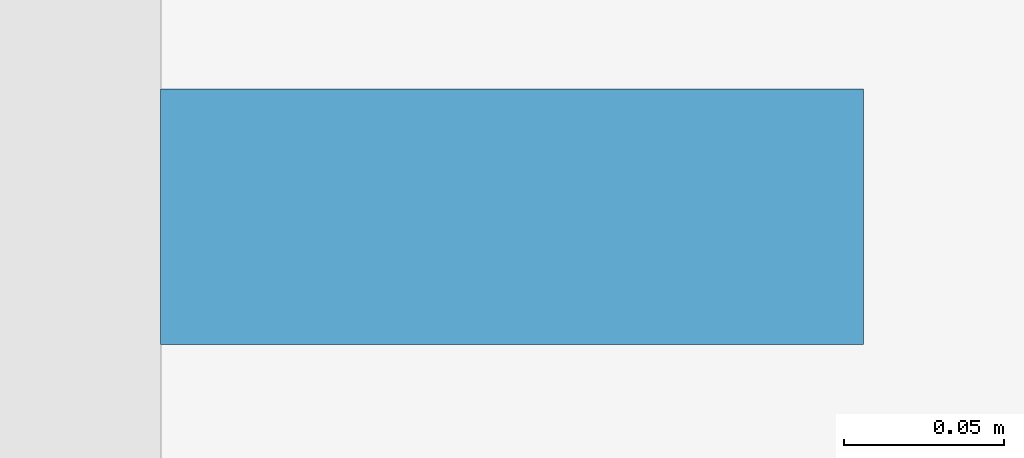
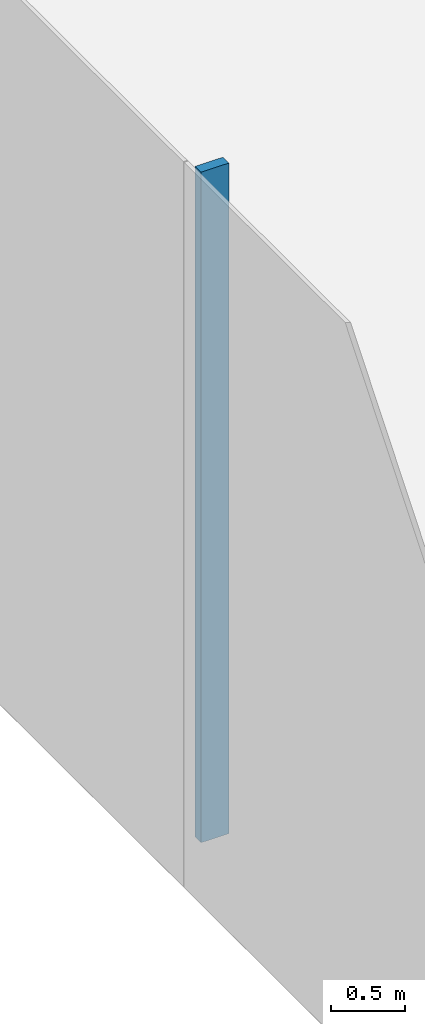
# One storey, part 5 of 38: 1 member, 1 element without a shape of its own.
"""IFC4 building model written with IfcOpenShell, lengths in metres."""

import ifcopenshell
import ifcopenshell.guid

model = None  # the IFC model being written
_history = None  # IfcOwnerHistory: only IFC2X3 demands one
_inside = {}  # id of a spatial element -> (the spatial element, [elements in it])
_under = {}  # id of a project, library or spatial element -> (it, [spatial elements below it])
_declared = {}  # id of a project -> (the project, [libraries it declares])
_typed = {}  # id of a type object -> (the type object, [elements of that type])
_made_of = {}  # id of a material, layer set ... -> (it, [elements and type objects made of it])


def new_model(schema):
    """Start an empty IFC model of exactly this schema.

    Asked for "IFC4X3", IfcOpenShell would pick the latest addendum, in which some entities
    have other attributes; the version numbers below select the first issue.
    IFC2X3 requires an IfcOwnerHistory on every rooted entity: one is made here for all.
    """
    global model, _history
    if schema == "IFC4X3":
        model = ifcopenshell.file(schema_version=(4, 3, 0, 0))
    else:
        model = ifcopenshell.file(schema=schema)
    _inside.clear()
    _under.clear()
    _declared.clear()
    _typed.clear()
    _made_of.clear()
    _history = None
    if model.schema == "IFC2X3":
        org = make("IfcOrganization", Name="unknown")
        user = make(
            "IfcPersonAndOrganization",
            ThePerson=make("IfcPerson", FamilyName="unknown"),
            TheOrganization=org,
        )
        app = make(
            "IfcApplication",
            ApplicationDeveloper=org,
            Version="unknown",
            ApplicationFullName="unknown",
            ApplicationIdentifier="unknown",
        )
        _history = make(
            "IfcOwnerHistory",
            OwningUser=user,
            OwningApplication=app,
            ChangeAction="ADDED",
            CreationDate=0,
        )
    return model


def make(cls, **values):
    """One entity of the class cls with the attributes given. An attribute that is None is left unset."""
    return model.create_entity(
        cls, **{name: value for name, value in values.items() if value is not None}
    )


def rooted(cls, **values):
    """An entity with a GlobalId (a new one), such as an element, a storey or a relation."""
    return make(cls, GlobalId=ifcopenshell.guid.new(), OwnerHistory=_history, **values)


def si_unit(unit_type, name, prefix=None):
    """IfcSIUnit, for example si_unit("LENGTHUNIT", "METRE", prefix="MILLI")."""
    return make("IfcSIUnit", UnitType=unit_type, Prefix=prefix, Name=name)


def assignment(units):
    """IfcUnitAssignment: the units of a project."""
    return None if units is None else make("IfcUnitAssignment", Units=units)


def point(xyz):
    """IfcCartesianPoint."""
    return None if xyz is None else make("IfcCartesianPoint", Coordinates=xyz)


def direction(xyz):
    """IfcDirection."""
    return None if xyz is None else make("IfcDirection", DirectionRatios=xyz)


def frame(location, z_axis=None, x_axis=None):
    """IfcAxis2Placement3D, a coordinate frame: its origin and axes. An axis left out is left unset."""
    return make(
        "IfcAxis2Placement3D",
        Location=point(location),
        Axis=direction(z_axis),
        RefDirection=direction(x_axis),
    )


def frame_2d(location, x_axis=None):
    """IfcAxis2Placement2D, a coordinate frame in the plane: its origin and x axis."""
    return make(
        "IfcAxis2Placement2D", Location=point(location), RefDirection=direction(x_axis)
    )


def origin():
    """The frame at (0, 0, 0) with its axes left unset."""
    return frame((0.0, 0.0, 0.0))


def origin_2d():
    """The frame at (0, 0) in the plane with its x axis left unset."""
    return frame_2d((0.0, 0.0))


def place(relative_to, where):
    """IfcLocalPlacement: puts the frame where relative to a parent placement (None: the world)."""
    return make(
        "IfcLocalPlacement", PlacementRelTo=relative_to, RelativePlacement=where
    )


def context(
    kind, dimensions, precision=None, world=None, true_north=None, identifier=None
):
    """IfcGeometricRepresentationContext, for example the 3D "Model" context."""
    return make(
        "IfcGeometricRepresentationContext",
        ContextIdentifier=identifier,
        ContextType=kind,
        CoordinateSpaceDimension=dimensions,
        Precision=precision,
        WorldCoordinateSystem=world,
        TrueNorth=true_north,
    )


def subcontext(parent, identifier, kind, view, scale=None):
    """IfcGeometricRepresentationSubContext, for example "Body" below "Model"."""
    return make(
        "IfcGeometricRepresentationSubContext",
        ContextIdentifier=identifier,
        ContextType=kind,
        ParentContext=parent,
        TargetScale=scale,
        TargetView=view,
    )


def project(units=None, contexts=None):
    """IfcProject with its units and contexts."""
    return rooted(
        "IfcProject",
        Name="project",
        RepresentationContexts=contexts,
        UnitsInContext=assignment(units),
    )


def spatial(cls, under=None, at=None, **own):
    """A site, building, storey or space (cls), placed at a placement, below another one or the project."""
    s = rooted(cls, ObjectPlacement=at, **own)
    if under is not None:
        _under.setdefault(under.id(), (under, []))[1].append(s)
    return s


def profile(cls, at=None, kind="AREA", **sizes):
    """A parametric profile (cls). Its sizes go by their IFC names, for example OverallWidth=200.0."""
    return make(cls, ProfileType=kind, Position=at, **sizes)


def rectangle(**sizes):
    """IfcRectangleProfileDef."""
    return profile("IfcRectangleProfileDef", **sizes)


def extrude(swept, where, along, depth):
    """IfcExtrudedAreaSolid: the profile swept, set in the frame where, extruded along a direction by depth."""
    return make(
        "IfcExtrudedAreaSolid",
        SweptArea=swept,
        Position=where,
        ExtrudedDirection=direction(along),
        Depth=depth,
    )


def shape(context_of_items, identifier, shape_type, items):
    """IfcShapeRepresentation: the items that make up one representation, for example the "Body"."""
    return make(
        "IfcShapeRepresentation",
        ContextOfItems=context_of_items,
        RepresentationIdentifier=identifier,
        RepresentationType=shape_type,
        Items=items,
    )


def material(Name=None, Category=None):
    """IfcMaterial."""
    return make("IfcMaterial", Name=Name, Category=Category)


def layer(
    of_material, thickness, ventilated=None, Name=None, Category=None, Priority=None
):
    """IfcMaterialLayer: one layer of a wall or slab, of a material (None: an air gap)."""
    return make(
        "IfcMaterialLayer",
        Material=of_material,
        LayerThickness=thickness,
        IsVentilated=ventilated,
        Name=Name,
        Category=Category,
        Priority=Priority,
    )


def layer_set(layers, Name=None):
    """IfcMaterialLayerSet."""
    return make("IfcMaterialLayerSet", MaterialLayers=layers, LayerSetName=Name)


def material_profile(
    of_material, cross_section, Name=None, Category=None, Priority=None
):
    """IfcMaterialProfile: a cross section and its material."""
    return make(
        "IfcMaterialProfile",
        Name=Name,
        Material=of_material,
        Profile=cross_section,
        Priority=Priority,
        Category=Category,
    )


def profile_set(profiles, Name=None, composite=None):
    """IfcMaterialProfileSet."""
    return make(
        "IfcMaterialProfileSet",
        Name=Name,
        MaterialProfiles=profiles,
        CompositeProfile=composite,
    )


def made_of(thing, what):
    """Note that an element or type object is made of a material, layer set ...; save() writes the relation."""
    if what is not None:
        _made_of.setdefault(what.id(), (what, []))[1].append(thing)
    return thing


def type_object(cls, material=None, **own):
    """A type object (cls), such as IfcWallType, which elements share."""
    return made_of(rooted(cls, **own), material)


def element(
    cls,
    number,
    at=None,
    inside=None,
    cuts=None,
    type_object=None,
    material=None,
    context=None,
    identifier="Body",
    shape_type=None,
    held_by="IfcProductDefinitionShape",
    body=None,
    shapes=None,
    **own,
):
    """One element of the class cls, such as IfcWall. Its Tag is "e" and its number.

    at: its placement. inside: the storey or other place that contains it. cuts: it is an
    opening in that element (IfcRelVoidsElement). A single representation is given by context,
    identifier, shape_type and body (its items); several are given by shapes. held_by: the class
    of the entity that holds the representations. save() writes the other relations.
    """
    e = rooted(cls, Tag="e%d" % number, ObjectPlacement=at, **own)
    if body is not None:
        shapes = [shape(context, identifier, shape_type, body)]
    if shapes is not None:
        e.Representation = make(held_by, Representations=shapes)
    if inside is not None:
        _inside.setdefault(inside.id(), (inside, []))[1].append(e)
    if cuts is not None:
        rooted(
            "IfcRelVoidsElement", RelatingBuildingElement=cuts, RelatedOpeningElement=e
        )
    if type_object is not None:
        _typed.setdefault(type_object.id(), (type_object, []))[1].append(e)
    return made_of(e, material)


def aggregate(whole, parts):
    """IfcRelAggregates: a whole, such as a stair, and the parts it consists of."""
    return rooted("IfcRelAggregates", RelatingObject=whole, RelatedObjects=parts)


def save(model, path):
    """Write the relations noted so far, then the file.

    IfcRelAggregates (storeys below a building ...), IfcRelContainedInSpatialStructure (elements
    in a storey), IfcRelDefinesByType, IfcRelAssociatesMaterial and IfcRelDeclares: one each for
    every whole, place, type object, material and project.
    """
    for whole, parts in _under.values():
        aggregate(whole, parts)
    for where, things in _inside.values():
        rooted(
            "IfcRelContainedInSpatialStructure",
            RelatedElements=things,
            RelatingStructure=where,
        )
    for kind, things in _typed.values():
        rooted("IfcRelDefinesByType", RelatedObjects=things, RelatingType=kind)
    for what, things in _made_of.values():
        rooted("IfcRelAssociatesMaterial", RelatedObjects=things, RelatingMaterial=what)
    for by, libraries in _declared.values():
        rooted("IfcRelDeclares", RelatingContext=by, RelatedDefinitions=libraries)
    model.write(path)


model = new_model("IFC4")

# Units and contexts
model_context = context("Model", 3, precision=1e-05, world=origin(), true_north=direction((0.0, 1.0)))
body_context = subcontext(model_context, "Body", "Model", "MODEL_VIEW")
ifc_project = project(units=[si_unit("LENGTHUNIT", "METRE"), si_unit("AREAUNIT", "SQUARE_METRE"), si_unit("VOLUMEUNIT", "CUBIC_METRE"), si_unit("PLANEANGLEUNIT", "RADIAN"), si_unit("MASSUNIT", "GRAM", prefix="KILO")], contexts=[model_context])

# Site, building, storey
site_placement = place(None, origin())
site = spatial("IfcSite", under=ifc_project, at=site_placement, CompositionType="ELEMENT")
building_placement = place(site_placement, origin())
building = spatial("IfcBuilding", under=site, at=building_placement, Name="Shamsa Quay Exchange Towers", CompositionType="ELEMENT")
storey_placement = place(building_placement, frame((0.0, 0.0, 12.5)))
storey = spatial("IfcBuildingStorey", under=building, at=storey_placement, Name="L02", CompositionType="ELEMENT", Elevation=12.5)

# Curtain wall, member
ifc_material = material(Name="Aluminium EN AW-6063 T6, black anodised", Category="aluminium")
ifc_layer = layer(ifc_material, 0.33203125)
ifc_layer_set = layer_set([ifc_layer], Name="CW-3 PODIUM SHOPFRONT GLAZING")
curtain_wall_type = type_object("IfcCurtainWallType", Name="CW-3 PODIUM SHOPFRONT GLAZING", PredefinedType="NOTDEFINED", material=ifc_layer_set)
curtain_wall_placement = place(storey_placement, origin())
curtain_wall = element("IfcCurtainWall", 1, at=curtain_wall_placement, inside=storey, type_object=curtain_wall_type, Name="CW3 PODIUM-L02-F02", PredefinedType="NOTDEFINED")
ifc_material_profile = material_profile(ifc_material, rectangle(XDim=0.219970703125, YDim=0.080078125, at=origin_2d()), Name="MU80x220")
ifc_profile_set = profile_set([ifc_material_profile], Name="Aluminium EN AW-6063 T6, black anodised")
member_type = type_object("IfcMemberType", Name="CW3 MULLION 80x220", PredefinedType="MULLION", material=ifc_profile_set)
member_placement = place(storey_placement, frame((-67.31005859375, -4.5, 0.0)))
member = element("IfcMember", 2, at=member_placement, type_object=member_type, Name="CW3 mullion", PredefinedType="MULLION", context=body_context, shape_type="SweptSolid", body=[
    extrude(rectangle(XDim=0.219970703125, YDim=0.080078125, at=origin_2d()), origin(), (0.0, 0.0, 1.0), 5.550048828125),
])
aggregate(curtain_wall, [member])

save(model, "model.ifc")
